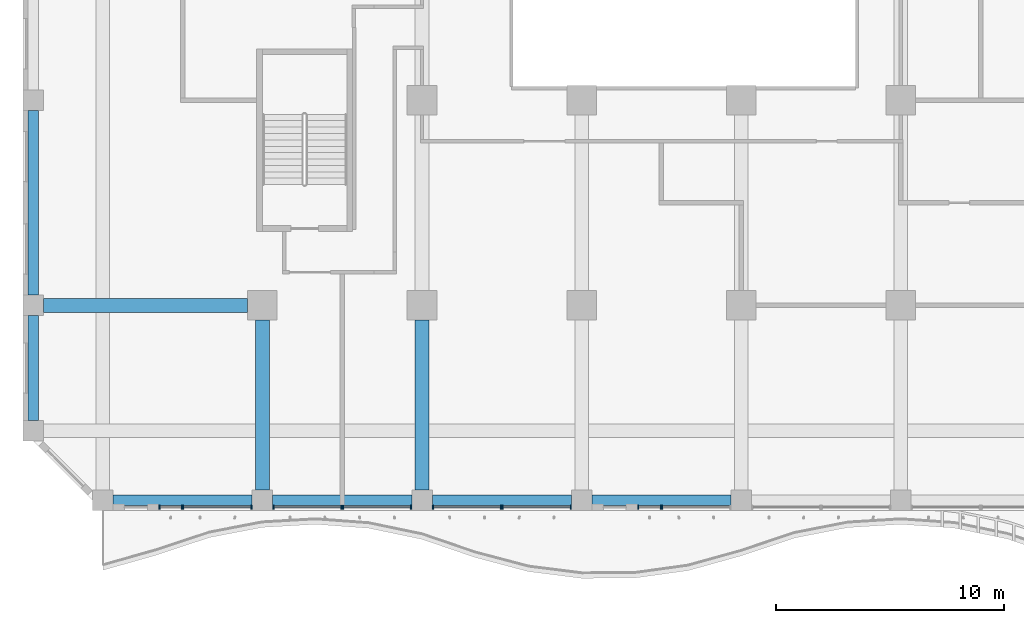
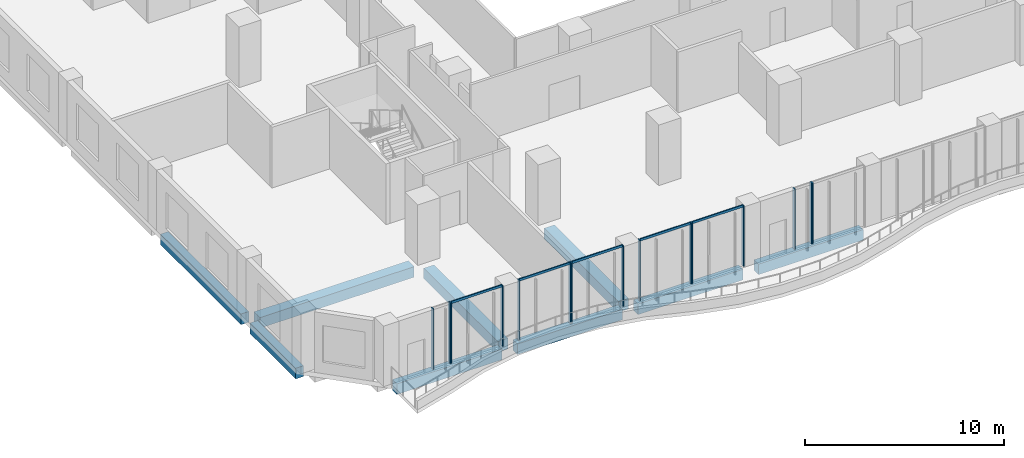
# One storey, part 2 of 26: 20 members, 9 beams, 8 elements without a shape of their own.
"""IFC4 building model written with IfcOpenShell, lengths in metres."""

from ifc_helpers import new_model, si_unit, direction, frame, origin, origin_2d, place, context, subcontext, project, spatial, rectangle, extrude, source, transform, mapped, material, material_profile, profile_set, type_object, element, aggregate, save


model = new_model("IFC4")

# Units and contexts
model_context = context("Model", 3, precision=1e-05, world=origin(), true_north=direction((0.0, 1.0)))
body_context = subcontext(model_context, "Body", "Model", "MODEL_VIEW")
ifc_project = project(units=[si_unit("LENGTHUNIT", "METRE"), si_unit("AREAUNIT", "SQUARE_METRE"), si_unit("VOLUMEUNIT", "CUBIC_METRE"), si_unit("PLANEANGLEUNIT", "RADIAN"), si_unit("MASSUNIT", "GRAM", prefix="KILO")], contexts=[model_context])

# Site, building, storey
site_placement = place(None, origin())
site = spatial("IfcSite", under=ifc_project, at=site_placement, CompositionType="ELEMENT")
building_placement = place(site_placement, origin())
building = spatial("IfcBuilding", under=site, at=building_placement, Name="Kilnfold Tower and Market Hall", CompositionType="ELEMENT")
storey_placement = place(building_placement, frame((0.0, 0.0, 31.0)))
storey = spatial("IfcBuildingStorey", under=building, at=storey_placement, Name="L06", CompositionType="ELEMENT", Elevation=31.0)

# Beams
ifc_material_1 = material(Name="Concrete C45", Category="concrete")
ifc_material_profile_1 = material_profile(ifc_material_1, rectangle(XDim=0.449951171875, YDim=0.64990234375, at=origin_2d()), Name="RC 450x650")
ifc_profile_set_1 = profile_set([ifc_material_profile_1], Name="Concrete C45")
beam_type_1 = type_object("IfcBeamType", Name="EDGE BEAM 450X650 C45", PredefinedType="BEAM", material=ifc_profile_set_1)
shared_shape_1 = source(origin(), body_context, "Body", "SweptSolid", [
    extrude(rectangle(XDim=0.449951171875, YDim=0.64990234375, at=origin_2d()), origin(), (0.0, 0.0, 1.0), 6.10009765625),
])
for number, where, z_axis, x_axis, name in (
    (1, (-24.050048828125, -27.550048828125, -0.60498046875), (1.0, 0.0, 0.0), (0.0, 1.0, 0.0), "Beam EB650-B1.1"),
    (2, (-17.050048828125, -27.550048828125, -0.60498046875), (1.0, 0.0, 0.0), (0.0, 1.0, 0.0), "Beam EB650-B1.54"),
    (3, (-10.050048828125, -27.550048828125, -0.60498046875), (1.0, 0.0, 0.0), (0.0, 1.0, 0.0), "Beam EB650-B1.2"),
    (4, (-3.050048828125, -27.550048828125, -0.60498046875), (1.0, 0.0, 0.0), (0.0, 1.0, 0.0), "Beam EB650-B1.3"),
):
    element("IfcBeam", number, at=place(storey_placement, frame(where, z_axis=z_axis, x_axis=x_axis)), inside=storey, type_object=beam_type_1, Name=name, PredefinedType="BEAM", context=body_context, shape_type="MappedRepresentation", body=[
        mapped(shared_shape_1, transform((0.0, 0.0, 0.0))),
    ])
ifc_material_2 = material(Name="Concrete C45", Category="concrete")
ifc_material_profile_2 = material_profile(ifc_material_2, rectangle(XDim=0.60009765625, YDim=0.64990234375, at=origin_2d()), Name="RC 600x650")
ifc_profile_set_2 = profile_set([ifc_material_profile_2], Name="Concrete C45")
beam_type_2 = type_object("IfcBeamType", Name="BEAM 600X650 C45", PredefinedType="BEAM", material=ifc_profile_set_2)
shared_shape_2 = source(origin(), body_context, "Body", "SweptSolid", [
    extrude(rectangle(XDim=0.60009765625, YDim=0.64990234375, at=origin_2d()), origin(), (0.0, 0.0, 1.0), 8.9501953125),
])
beam_1_placement = place(storey_placement, frame((-27.10009765625, -19.0, -0.60498046875), z_axis=(1.0, 0.0, 0.0), x_axis=(0.0, 1.0, 0.0)))
element("IfcBeam", 5, at=beam_1_placement, inside=storey, type_object=beam_type_2, Name="Beam BB650-B1.7", PredefinedType="BEAM", context=body_context, shape_type="MappedRepresentation", body=[
    mapped(shared_shape_2, transform((0.0, 0.0, 0.0))),
])
shared_shape_3 = source(origin(), body_context, "Body", "SweptSolid", [
    extrude(rectangle(XDim=0.449951171875, YDim=0.64990234375, at=origin_2d()), origin(), (0.0, 0.0, 1.0), 4.60009765625),
])
beam_2_placement = place(storey_placement, frame((-27.550048828125, -24.050048828125, -0.60498046875), z_axis=(0.0, 1.0, 0.0), x_axis=(-1.0, 0.0, 0.0)))
element("IfcBeam", 6, at=beam_2_placement, inside=storey, type_object=beam_type_1, Name="Beam EB650-B1.30", PredefinedType="BEAM", context=body_context, shape_type="MappedRepresentation", body=[
    mapped(shared_shape_3, transform((0.0, 0.0, 0.0))),
])
shared_shape_4 = source(origin(), body_context, "Body", "SweptSolid", [
    extrude(rectangle(XDim=0.449951171875, YDim=0.64990234375, at=origin_2d()), origin(), (0.0, 0.0, 1.0), 8.10009765625),
])
beam_3_placement = place(storey_placement, frame((-27.550048828125, -18.550048828125, -0.60498046875), z_axis=(0.0, 1.0, 0.0), x_axis=(-1.0, 0.0, 0.0)))
element("IfcBeam", 7, at=beam_3_placement, inside=storey, type_object=beam_type_1, Name="Beam EB650-B1.31", PredefinedType="BEAM", context=body_context, shape_type="MappedRepresentation", body=[
    mapped(shared_shape_4, transform((0.0, 0.0, 0.0))),
])
shared_shape_5 = source(origin(), body_context, "Body", "SweptSolid", [
    extrude(rectangle(XDim=0.60009765625, YDim=0.64990234375, at=origin_2d()), origin(), (0.0, 0.0, 1.0), 7.4501953125),
])
for number, where, z_axis, x_axis, name in (
    (8, (-17.5, -27.10009765625, -0.60498046875), (0.0, 1.0, 0.0), (-1.0, 0.0, 0.0), "Beam BB650-B1.36"),
    (9, (-10.5, -27.10009765625, -0.60498046875), (0.0, 1.0, 0.0), (-1.0, 0.0, 0.0), "Beam BB650-B1.40"),
):
    element("IfcBeam", number, at=place(storey_placement, frame(where, z_axis=z_axis, x_axis=x_axis)), inside=storey, type_object=beam_type_2, Name=name, PredefinedType="BEAM", context=body_context, shape_type="MappedRepresentation", body=[
        mapped(shared_shape_5, transform((0.0, 0.0, 0.0))),
    ])

# Curtain wall, members
ifc_material_3 = material(Name="Aluminium and double glazing", Category="aluminium")
curtain_wall_type = type_object("IfcCurtainWallType", Name="CW OF1 VALLEY GLAZING", PredefinedType="NOTDEFINED", material=ifc_material_3)
curtain_wall_1_placement = place(storey_placement, origin())
curtain_wall_1 = element("IfcCurtainWall", 10, at=curtain_wall_1_placement, inside=storey, type_object=curtain_wall_type, Name="Curtain wall CW1 L06 S", PredefinedType="NOTDEFINED")
ifc_material_4 = material(Name="Aluminium", Category="aluminium")
ifc_material_profile_3 = material_profile(ifc_material_4, rectangle(XDim=0.06005859375, YDim=0.179931640625, at=origin_2d()), Name="MULLION 60x180")
ifc_profile_set_3 = profile_set([ifc_material_profile_3], Name="Aluminium")
member_type_1 = type_object("IfcMemberType", Name="MULLION 60X180", PredefinedType="MULLION", material=ifc_profile_set_3)
shared_shape_6 = source(origin(), body_context, "Body", "SweptSolid", [
    extrude(rectangle(XDim=0.06005859375, YDim=0.179931640625, at=origin_2d()), origin(), (0.0, 0.0, 1.0), 3.719970703125),
])
member_1_placement = place(storey_placement, frame((-22.02001953125, -27.85009765625, 0.0), z_axis=(0.0, 0.0, 1.0), x_axis=(1.0, 0.0, 0.0)))
member_1 = element("IfcMember", 11, at=member_1_placement, type_object=member_type_1, Name="CW1 mullion 1", PredefinedType="MULLION", context=body_context, shape_type="MappedRepresentation", body=[
    mapped(shared_shape_6, transform((0.0, 0.0, 0.0))),
])
member_2_placement = place(storey_placement, frame((-21.030029296875, -27.85009765625, 0.0), z_axis=(0.0, 0.0, 1.0), x_axis=(1.0, 0.0, 0.0)))
member_2 = element("IfcMember", 12, at=member_2_placement, type_object=member_type_1, Name="CW1 mullion 2", PredefinedType="MULLION", context=body_context, shape_type="MappedRepresentation", body=[
    mapped(shared_shape_6, transform((0.0, 0.0, 0.0))),
])
aggregate(curtain_wall_1, [member_1, member_2])

curtain_wall_2_placement = place(storey_placement, origin())
curtain_wall_2 = element("IfcCurtainWall", 13, at=curtain_wall_2_placement, inside=storey, type_object=curtain_wall_type, Name="Curtain wall CW1 L06 S", PredefinedType="NOTDEFINED")
member_3_placement = place(storey_placement, frame((-20.969970703125, -27.85009765625, 0.0), z_axis=(0.0, 0.0, 1.0), x_axis=(1.0, 0.0, 0.0)))
member_3 = element("IfcMember", 14, at=member_3_placement, type_object=member_type_1, Name="CW1 mullion 1", PredefinedType="MULLION", context=body_context, shape_type="MappedRepresentation", body=[
    mapped(shared_shape_6, transform((0.0, 0.0, 0.0))),
])
member_4_placement = place(storey_placement, frame((-17.97998046875, -27.85009765625, 0.0), z_axis=(0.0, 0.0, 1.0), x_axis=(1.0, 0.0, 0.0)))
member_4 = element("IfcMember", 15, at=member_4_placement, type_object=member_type_1, Name="CW1 mullion 2", PredefinedType="MULLION", context=body_context, shape_type="MappedRepresentation", body=[
    mapped(shared_shape_6, transform((0.0, 0.0, 0.0))),
])

curtain_wall_3_placement = place(storey_placement, origin())
curtain_wall_3 = element("IfcCurtainWall", 16, at=curtain_wall_3_placement, inside=storey, type_object=curtain_wall_type, Name="Curtain wall CW1 L06 S", PredefinedType="NOTDEFINED")
member_5_placement = place(storey_placement, frame((-17.02001953125, -27.85009765625, 0.0), z_axis=(0.0, 0.0, 1.0), x_axis=(1.0, 0.0, 0.0)))
member_5 = element("IfcMember", 17, at=member_5_placement, type_object=member_type_1, Name="CW1 mullion 1", PredefinedType="MULLION", context=body_context, shape_type="MappedRepresentation", body=[
    mapped(shared_shape_6, transform((0.0, 0.0, 0.0))),
])
member_6_placement = place(storey_placement, frame((-14.030029296875, -27.85009765625, 0.0), z_axis=(0.0, 0.0, 1.0), x_axis=(1.0, 0.0, 0.0)))
member_6 = element("IfcMember", 18, at=member_6_placement, type_object=member_type_1, Name="CW1 mullion 2", PredefinedType="MULLION", context=body_context, shape_type="MappedRepresentation", body=[
    mapped(shared_shape_6, transform((0.0, 0.0, 0.0))),
])

curtain_wall_4_placement = place(storey_placement, origin())
curtain_wall_4 = element("IfcCurtainWall", 19, at=curtain_wall_4_placement, inside=storey, type_object=curtain_wall_type, Name="Curtain wall CW1 L06 S", PredefinedType="NOTDEFINED")
member_7_placement = place(storey_placement, frame((-13.969970703125, -27.85009765625, 0.0), z_axis=(0.0, 0.0, 1.0), x_axis=(1.0, 0.0, 0.0)))
member_7 = element("IfcMember", 20, at=member_7_placement, type_object=member_type_1, Name="CW1 mullion 1", PredefinedType="MULLION", context=body_context, shape_type="MappedRepresentation", body=[
    mapped(shared_shape_6, transform((0.0, 0.0, 0.0))),
])
member_8_placement = place(storey_placement, frame((-10.97998046875, -27.85009765625, 0.0), z_axis=(0.0, 0.0, 1.0), x_axis=(1.0, 0.0, 0.0)))
member_8 = element("IfcMember", 21, at=member_8_placement, type_object=member_type_1, Name="CW1 mullion 2", PredefinedType="MULLION", context=body_context, shape_type="MappedRepresentation", body=[
    mapped(shared_shape_6, transform((0.0, 0.0, 0.0))),
])

curtain_wall_5_placement = place(storey_placement, origin())
curtain_wall_5 = element("IfcCurtainWall", 22, at=curtain_wall_5_placement, inside=storey, type_object=curtain_wall_type, Name="Curtain wall CW1 L06 S", PredefinedType="NOTDEFINED")
member_9_placement = place(storey_placement, frame((-10.02001953125, -27.85009765625, 0.0), z_axis=(0.0, 0.0, 1.0), x_axis=(1.0, 0.0, 0.0)))
member_9 = element("IfcMember", 23, at=member_9_placement, type_object=member_type_1, Name="CW1 mullion 1", PredefinedType="MULLION", context=body_context, shape_type="MappedRepresentation", body=[
    mapped(shared_shape_6, transform((0.0, 0.0, 0.0))),
])
member_10_placement = place(storey_placement, frame((-7.030029296875, -27.85009765625, 0.0), z_axis=(0.0, 0.0, 1.0), x_axis=(1.0, 0.0, 0.0)))
member_10 = element("IfcMember", 24, at=member_10_placement, type_object=member_type_1, Name="CW1 mullion 2", PredefinedType="MULLION", context=body_context, shape_type="MappedRepresentation", body=[
    mapped(shared_shape_6, transform((0.0, 0.0, 0.0))),
])

curtain_wall_6_placement = place(storey_placement, origin())
curtain_wall_6 = element("IfcCurtainWall", 25, at=curtain_wall_6_placement, inside=storey, type_object=curtain_wall_type, Name="Curtain wall CW1 L06 S", PredefinedType="NOTDEFINED")
member_11_placement = place(storey_placement, frame((-6.969970703125, -27.85009765625, 0.0), z_axis=(0.0, 0.0, 1.0), x_axis=(1.0, 0.0, 0.0)))
member_11 = element("IfcMember", 26, at=member_11_placement, type_object=member_type_1, Name="CW1 mullion 1", PredefinedType="MULLION", context=body_context, shape_type="MappedRepresentation", body=[
    mapped(shared_shape_6, transform((0.0, 0.0, 0.0))),
])
member_12_placement = place(storey_placement, frame((-3.97998046875, -27.85009765625, 0.0), z_axis=(0.0, 0.0, 1.0), x_axis=(1.0, 0.0, 0.0)))
member_12 = element("IfcMember", 27, at=member_12_placement, type_object=member_type_1, Name="CW1 mullion 2", PredefinedType="MULLION", context=body_context, shape_type="MappedRepresentation", body=[
    mapped(shared_shape_6, transform((0.0, 0.0, 0.0))),
])

curtain_wall_7_placement = place(storey_placement, origin())
curtain_wall_7 = element("IfcCurtainWall", 28, at=curtain_wall_7_placement, inside=storey, type_object=curtain_wall_type, Name="Curtain wall CW1 L06 S", PredefinedType="NOTDEFINED")
member_13_placement = place(storey_placement, frame((-1.02001953125, -27.85009765625, 0.0), z_axis=(0.0, 0.0, 1.0), x_axis=(1.0, 0.0, 0.0)))
member_13 = element("IfcMember", 29, at=member_13_placement, type_object=member_type_1, Name="CW1 mullion 1", PredefinedType="MULLION", context=body_context, shape_type="MappedRepresentation", body=[
    mapped(shared_shape_6, transform((0.0, 0.0, 0.0))),
])
member_14_placement = place(storey_placement, frame((-0.030029296875, -27.85009765625, 0.0), z_axis=(0.0, 0.0, 1.0), x_axis=(1.0, 0.0, 0.0)))
member_14 = element("IfcMember", 30, at=member_14_placement, type_object=member_type_1, Name="CW1 mullion 2", PredefinedType="MULLION", context=body_context, shape_type="MappedRepresentation", body=[
    mapped(shared_shape_6, transform((0.0, 0.0, 0.0))),
])
aggregate(curtain_wall_7, [member_13, member_14])

# Curtain wall, member
curtain_wall_8_placement = place(storey_placement, origin())
curtain_wall_8 = element("IfcCurtainWall", 31, at=curtain_wall_8_placement, inside=storey, type_object=curtain_wall_type, Name="Curtain wall CW1 L06 S", PredefinedType="NOTDEFINED")
member_15_placement = place(storey_placement, frame((0.030029296875, -27.85009765625, 0.0), z_axis=(0.0, 0.0, 1.0), x_axis=(1.0, 0.0, 0.0)))
member_15 = element("IfcMember", 32, at=member_15_placement, type_object=member_type_1, Name="CW1 mullion 1", PredefinedType="MULLION", context=body_context, shape_type="MappedRepresentation", body=[
    mapped(shared_shape_6, transform((0.0, 0.0, 0.0))),
])
aggregate(curtain_wall_8, [member_15])

# Member
ifc_material_5 = material(Name="Aluminium", Category="aluminium")
ifc_material_profile_4 = material_profile(ifc_material_5, rectangle(XDim=0.06005859375, YDim=0.139892578125, at=origin_2d()), Name="TRANSOM 60x140")
ifc_profile_set_4 = profile_set([ifc_material_profile_4], Name="Aluminium")
member_type_2 = type_object("IfcMemberType", Name="TRANSOM 60X140", PredefinedType="USERDEFINED", material=ifc_profile_set_4)
shared_shape_7 = source(origin(), body_context, "Body", "SweptSolid", [
    extrude(rectangle(XDim=0.06005859375, YDim=0.139892578125, at=origin_2d()), origin(), (0.0, 0.0, 1.0), 2.929931640625),
])
member_16_placement = place(storey_placement, frame((-20.93994140625, -27.85009765625, 3.68994140625), z_axis=(1.0, 0.0, 0.0), x_axis=(0.0, 1.0, 0.0)))
member_16 = element("IfcMember", 33, at=member_16_placement, type_object=member_type_2, Name="CW1 transom 1.2", ObjectType="TRANSOM", PredefinedType="USERDEFINED", context=body_context, shape_type="MappedRepresentation", body=[
    mapped(shared_shape_7, transform((0.0, 0.0, 0.0))),
])

aggregate(curtain_wall_2, [member_3, member_4, member_16])

member_17_placement = place(storey_placement, frame((-16.989990234375, -27.85009765625, 3.68994140625), z_axis=(1.0, 0.0, 0.0), x_axis=(0.0, 1.0, 0.0)))
member_17 = element("IfcMember", 34, at=member_17_placement, type_object=member_type_2, Name="CW1 transom 1.2", ObjectType="TRANSOM", PredefinedType="USERDEFINED", context=body_context, shape_type="MappedRepresentation", body=[
    mapped(shared_shape_7, transform((0.0, 0.0, 0.0))),
])

aggregate(curtain_wall_3, [member_5, member_6, member_17])

member_18_placement = place(storey_placement, frame((-13.93994140625, -27.85009765625, 3.68994140625), z_axis=(1.0, 0.0, 0.0), x_axis=(0.0, 1.0, 0.0)))
member_18 = element("IfcMember", 35, at=member_18_placement, type_object=member_type_2, Name="CW1 transom 1.2", ObjectType="TRANSOM", PredefinedType="USERDEFINED", context=body_context, shape_type="MappedRepresentation", body=[
    mapped(shared_shape_7, transform((0.0, 0.0, 0.0))),
])

aggregate(curtain_wall_4, [member_7, member_8, member_18])

member_19_placement = place(storey_placement, frame((-9.989990234375, -27.85009765625, 3.68994140625), z_axis=(1.0, 0.0, 0.0), x_axis=(0.0, 1.0, 0.0)))
member_19 = element("IfcMember", 36, at=member_19_placement, type_object=member_type_2, Name="CW1 transom 1.2", ObjectType="TRANSOM", PredefinedType="USERDEFINED", context=body_context, shape_type="MappedRepresentation", body=[
    mapped(shared_shape_7, transform((0.0, 0.0, 0.0))),
])

aggregate(curtain_wall_5, [member_9, member_10, member_19])

member_20_placement = place(storey_placement, frame((-6.93994140625, -27.85009765625, 3.68994140625), z_axis=(1.0, 0.0, 0.0), x_axis=(0.0, 1.0, 0.0)))
member_20 = element("IfcMember", 37, at=member_20_placement, type_object=member_type_2, Name="CW1 transom 1.2", ObjectType="TRANSOM", PredefinedType="USERDEFINED", context=body_context, shape_type="MappedRepresentation", body=[
    mapped(shared_shape_7, transform((0.0, 0.0, 0.0))),
])

aggregate(curtain_wall_6, [member_11, member_12, member_20])

save(model, "model.ifc")
